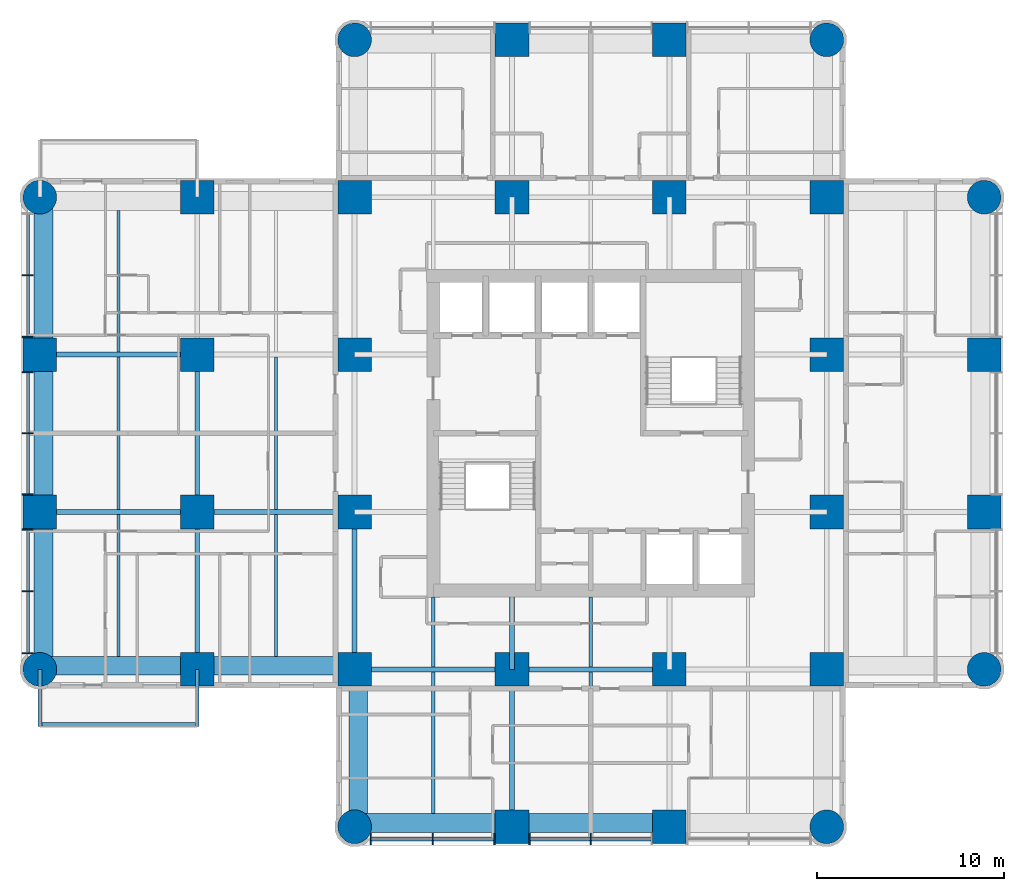
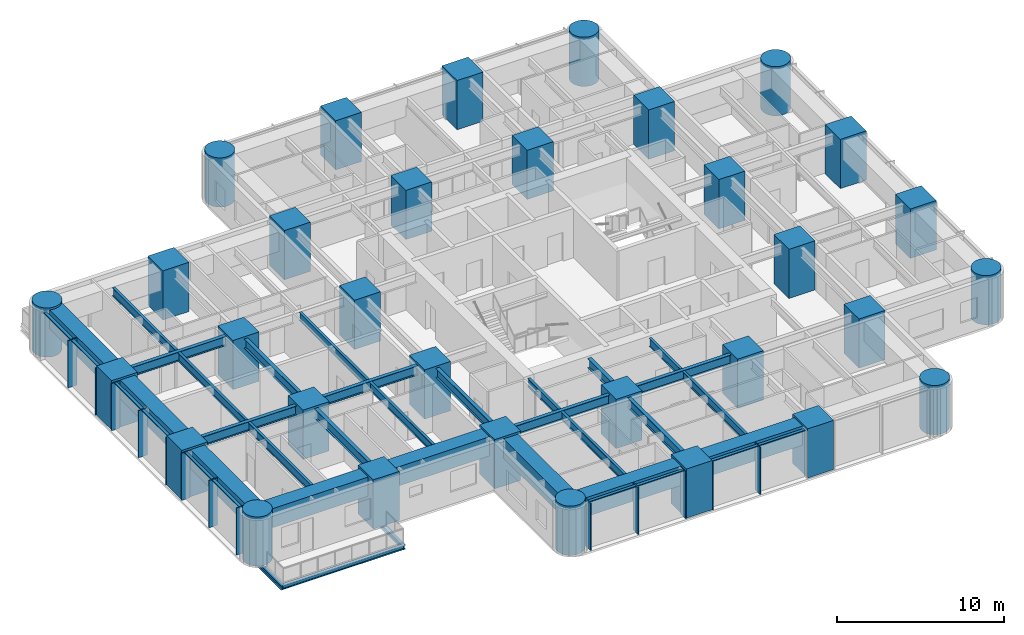
# One storey, part 1 of 11: 32 columns, 30 beams, 23 members, 2 elements without a shape of their own.
"""IFC4 building model written with IfcOpenShell, lengths in metres."""

from ifc_helpers import new_model, si_unit, direction, frame, origin, origin_2d, place, context, subcontext, project, spatial, rectangle, circle, i_section, extrude, material, material_profile, profile_set, type_object, element, aggregate, save


model = new_model("IFC4")

# Units and contexts
model_context = context("Model", 3, precision=1e-05, world=origin(), true_north=direction((0.0, 1.0)))
body_context = subcontext(model_context, "Body", "Model", "MODEL_VIEW")
ifc_project = project(units=[si_unit("LENGTHUNIT", "METRE"), si_unit("AREAUNIT", "SQUARE_METRE"), si_unit("VOLUMEUNIT", "CUBIC_METRE"), si_unit("PLANEANGLEUNIT", "RADIAN"), si_unit("MASSUNIT", "GRAM", prefix="KILO")], contexts=[model_context])

# Site, building, storey
site_placement = place(None, origin())
site = spatial("IfcSite", under=ifc_project, at=site_placement, CompositionType="ELEMENT")
building_placement = place(site_placement, origin())
building = spatial("IfcBuilding", under=site, at=building_placement, Name="Torre Alcanfor", CompositionType="ELEMENT")
storey_placement = place(building_placement, frame((0.0, 0.0, 186.89990234375)))
storey = spatial("IfcBuildingStorey", under=building, at=storey_placement, Name="L48", CompositionType="ELEMENT", Elevation=186.89990234375)

# Columns
ifc_material_1 = material(Name="Concrete f'c 70 MPa", Category="concrete")
ifc_material_profile_1 = material_profile(ifc_material_1, rectangle(XDim=1.800048828125, YDim=1.800048828125, at=origin_2d()), Name="1800x1800")
ifc_profile_set_1 = profile_set([ifc_material_profile_1], Name="Concrete f'c 70 MPa")
column_type_1 = type_object("IfcColumnType", Name="RC column 1800x1800 f'c70", PredefinedType="COLUMN", material=ifc_profile_set_1)
for number, where, z_axis, x_axis, name in (
    (1, (0.0, 25.199951171875, 0.0), (0.0, 0.0, 1.0), (1.0, 0.0, 0.0), "Column 1/F L48"),
    (2, (0.0, 33.60009765625, 0.0), (0.0, 0.0, 1.0), (1.0, 0.0, 0.0), "Column 1/G L48"),
    (3, (8.39990234375, 16.800048828125, 0.0), (0.0, 0.0, 1.0), (1.0, 0.0, 0.0), "Column 2/E L48"),
    (4, (8.39990234375, 25.199951171875, 0.0), (0.0, 0.0, 1.0), (1.0, 0.0, 0.0), "Column 2/F L48"),
    (5, (8.39990234375, 33.60009765625, 0.0), (0.0, 0.0, 1.0), (1.0, 0.0, 0.0), "Column 2/G L48"),
    (6, (8.39990234375, 42.0, 0.0), (0.0, 0.0, 1.0), (1.0, 0.0, 0.0), "Column 2/H L48"),
    (7, (16.800048828125, 16.800048828125, 0.0), (0.0, 0.0, 1.0), (1.0, 0.0, 0.0), "Column 3/E L48"),
    (8, (16.800048828125, 25.199951171875, 0.0), (0.0, 0.0, 1.0), (1.0, 0.0, 0.0), "Column 3/F L48"),
    (9, (16.800048828125, 33.60009765625, 0.0), (0.0, 0.0, 1.0), (1.0, 0.0, 0.0), "Column 3/G L48"),
    (10, (16.800048828125, 42.0, 0.0), (0.0, 0.0, 1.0), (1.0, 0.0, 0.0), "Column 3/H L48"),
    (11, (25.199951171875, 8.39990234375, 0.0), (0.0, 0.0, 1.0), (1.0, 0.0, 0.0), "Column 4/D L48"),
    (12, (25.199951171875, 16.800048828125, 0.0), (0.0, 0.0, 1.0), (1.0, 0.0, 0.0), "Column 4/E L48"),
    (13, (25.199951171875, 42.0, 0.0), (0.0, 0.0, 1.0), (1.0, 0.0, 0.0), "Column 4/H L48"),
    (14, (25.199951171875, 50.39990234375, 0.0), (0.0, 0.0, 1.0), (1.0, 0.0, 0.0), "Column 4/J L48"),
    (15, (33.60009765625, 8.39990234375, 0.0), (0.0, 0.0, 1.0), (1.0, 0.0, 0.0), "Column 5/D L48"),
    (16, (33.60009765625, 16.800048828125, 0.0), (0.0, 0.0, 1.0), (1.0, 0.0, 0.0), "Column 5/E L48"),
    (17, (33.60009765625, 42.0, 0.0), (0.0, 0.0, 1.0), (1.0, 0.0, 0.0), "Column 5/H L48"),
    (18, (33.60009765625, 50.39990234375, 0.0), (0.0, 0.0, 1.0), (1.0, 0.0, 0.0), "Column 5/J L48"),
    (19, (42.0, 16.800048828125, 0.0), (0.0, 0.0, 1.0), (1.0, 0.0, 0.0), "Column 6/E L48"),
    (20, (42.0, 25.199951171875, 0.0), (0.0, 0.0, 1.0), (1.0, 0.0, 0.0), "Column 6/F L48"),
    (21, (42.0, 33.60009765625, 0.0), (0.0, 0.0, 1.0), (1.0, 0.0, 0.0), "Column 6/G L48"),
    (22, (42.0, 42.0, 0.0), (0.0, 0.0, 1.0), (1.0, 0.0, 0.0), "Column 6/H L48"),
    (23, (50.39990234375, 25.199951171875, 0.0), (0.0, 0.0, 1.0), (1.0, 0.0, 0.0), "Column 7/F L48"),
    (24, (50.39990234375, 33.60009765625, 0.0), (0.0, 0.0, 1.0), (1.0, 0.0, 0.0), "Column 7/G L48"),
):
    element("IfcColumn", number, at=place(storey_placement, frame(where, z_axis=z_axis, x_axis=x_axis)), inside=storey, type_object=column_type_1, Name=name, PredefinedType="COLUMN", context=body_context, shape_type="SweptSolid", body=[
        extrude(rectangle(XDim=1.800048828125, YDim=1.800048828125, at=origin_2d()), origin(), (0.0, 0.0, 1.0), 3.60009765625),
    ])
ifc_material_2 = material(Name="Concrete f'c 70 MPa", Category="concrete")
ifc_material_profile_2 = material_profile(ifc_material_2, circle(Radius=0.89990234375, at=origin_2d()), Name="D1800")
ifc_profile_set_2 = profile_set([ifc_material_profile_2], Name="Concrete f'c 70 MPa")
column_type_2 = type_object("IfcColumnType", Name="RC column D1800 f'c70", PredefinedType="COLUMN", material=ifc_profile_set_2)
for number, where, z_axis, x_axis, name in (
    (25, (0.0, 16.800048828125, 0.0), (0.0, 0.0, 1.0), (1.0, 0.0, 0.0), "Column 1/E L48"),
    (26, (0.0, 42.0, 0.0), (0.0, 0.0, 1.0), (1.0, 0.0, 0.0), "Column 1/H L48"),
    (27, (16.800048828125, 8.39990234375, 0.0), (0.0, 0.0, 1.0), (1.0, 0.0, 0.0), "Column 3/D L48"),
    (28, (16.800048828125, 50.39990234375, 0.0), (0.0, 0.0, 1.0), (1.0, 0.0, 0.0), "Column 3/J L48"),
    (29, (42.0, 8.39990234375, 0.0), (0.0, 0.0, 1.0), (1.0, 0.0, 0.0), "Column 6/D L48"),
    (30, (42.0, 50.39990234375, 0.0), (0.0, 0.0, 1.0), (1.0, 0.0, 0.0), "Column 6/J L48"),
    (31, (50.39990234375, 16.800048828125, 0.0), (0.0, 0.0, 1.0), (1.0, 0.0, 0.0), "Column 7/E L48"),
    (32, (50.39990234375, 42.0, 0.0), (0.0, 0.0, 1.0), (1.0, 0.0, 0.0), "Column 7/H L48"),
):
    element("IfcColumn", number, at=place(storey_placement, frame(where, z_axis=z_axis, x_axis=x_axis)), inside=storey, type_object=column_type_2, Name=name, PredefinedType="COLUMN", context=body_context, shape_type="SweptSolid", body=[
        extrude(circle(Radius=0.89990234375, at=origin_2d()), origin(), (0.0, 0.0, 1.0), 3.60009765625),
    ])

# Beams
ifc_material_3 = material(Name="Steel ASTM A992 Grade 50", Category="steel")
ifc_material_profile_3 = material_profile(ifc_material_3, i_section(OverallWidth=0.205322265625, OverallDepth=0.309814453125, WebThickness=0.00927734375, FlangeThickness=0.016357421875, at=origin_2d()), Name="W12x50")
ifc_profile_set_3 = profile_set([ifc_material_profile_3], Name="Steel ASTM A992 Grade 50")
beam_type_1 = type_object("IfcBeamType", Name="Balcony cantilever beam W12x50", PredefinedType="BEAM", material=ifc_profile_set_3)
for number, where, z_axis, x_axis, name in (
    (33, (8.39990234375, 16.800048828125, -0.354736328125), (0.0, -1.0, 0.0), (1.0, 0.0, 0.0), "Balcony cantilever beam L48-W1 1"),
    (34, (0.0, 16.800048828125, -0.354736328125), (0.0, -1.0, 0.0), (1.0, 0.0, 0.0), "Balcony cantilever beam L48-W1 2"),
):
    element("IfcBeam", number, at=place(storey_placement, frame(where, z_axis=z_axis, x_axis=x_axis)), inside=storey, type_object=beam_type_1, Name=name, PredefinedType="BEAM", context=body_context, shape_type="SweptSolid", body=[
        extrude(i_section(OverallWidth=0.205322265625, OverallDepth=0.309814453125, WebThickness=0.00927734375, FlangeThickness=0.016357421875, at=origin_2d()), origin(), (0.0, 0.0, 1.0), 3.050048828125),
    ])
ifc_material_4 = material(Name="Steel ASTM A992 Grade 50", Category="steel")
ifc_material_profile_4 = material_profile(ifc_material_4, i_section(OverallWidth=0.203369140625, OverallDepth=0.30224609375, WebThickness=0.007568359375, FlangeThickness=0.01318359375, at=origin_2d()), Name="W12x40")
ifc_profile_set_4 = profile_set([ifc_material_profile_4], Name="Steel ASTM A992 Grade 50")
beam_type_2 = type_object("IfcBeamType", Name="Balcony edge trimmer W12x40", PredefinedType="BEAM", material=ifc_profile_set_4)
beam_1_placement = place(storey_placement, frame((8.39990234375, 13.851806640625, -0.35107421875), z_axis=(-1.0, 0.0, 0.0), x_axis=(0.0, -1.0, 0.0)))
element("IfcBeam", 35, at=beam_1_placement, inside=storey, type_object=beam_type_2, Name="Balcony edge trimmer L48-W1", PredefinedType="BEAM", context=body_context, shape_type="SweptSolid", body=[
    extrude(i_section(OverallWidth=0.203369140625, OverallDepth=0.30224609375, WebThickness=0.007568359375, FlangeThickness=0.01318359375, at=origin_2d()), origin(), (0.0, 0.0, 1.0), 8.39990234375),
])

# Curtain wall, members
ifc_material_5 = material(Name="Aluminium and glass", Category="aluminium")
curtain_wall_type = type_object("IfcCurtainWallType", Name="CW-A unitised apartment glazing with vertical FIN", PredefinedType="NOTDEFINED", material=ifc_material_5)
curtain_wall_1_placement = place(storey_placement, origin())
curtain_wall_1 = element("IfcCurtainWall", 36, at=curtain_wall_1_placement, inside=storey, type_object=curtain_wall_type, Name="Curtain wall CW-A L48 2", PredefinedType="NOTDEFINED")
ifc_material_6 = material(Name="Bronze anodised aluminium", Category="aluminium")
ifc_material_profile_5 = material_profile(ifc_material_6, rectangle(XDim=0.60009765625, YDim=0.06494140625, at=origin_2d()), Name="CW-A mullion 65x600")
ifc_profile_set_5 = profile_set([ifc_material_profile_5], Name="Bronze anodised aluminium")
member_type_1 = type_object("IfcMemberType", Name="CW-A mullion with vertical FIN 65x600", PredefinedType="MULLION", material=ifc_profile_set_5)
member_1_placement = place(storey_placement, frame((-0.64990234375, 37.835205078125, 0.0), z_axis=(0.0, 0.0, 1.0), x_axis=(1.0, 0.0, 0.0)))
member_1 = element("IfcMember", 37, at=member_1_placement, type_object=member_type_1, Name="CW-A mullion 1.2", PredefinedType="MULLION", context=body_context, shape_type="SweptSolid", body=[
    extrude(rectangle(XDim=0.60009765625, YDim=0.06494140625, at=origin_2d()), origin(), (0.0, 0.0, 1.0), 3.4501953125),
])
member_2_placement = place(storey_placement, frame((-0.64990234375, 34.53759765625, 0.0), z_axis=(0.0, 0.0, 1.0), x_axis=(1.0, 0.0, 0.0)))
member_2 = element("IfcMember", 38, at=member_2_placement, type_object=member_type_1, Name="CW-A mullion 1.3", PredefinedType="MULLION", context=body_context, shape_type="SweptSolid", body=[
    extrude(rectangle(XDim=0.60009765625, YDim=0.06494140625, at=origin_2d()), origin(), (0.0, 0.0, 1.0), 3.4501953125),
])
member_3_placement = place(storey_placement, frame((-0.64990234375, 32.66259765625, 0.0), z_axis=(0.0, 0.0, 1.0), x_axis=(1.0, 0.0, 0.0)))
member_3 = element("IfcMember", 39, at=member_3_placement, type_object=member_type_1, Name="CW-A mullion 2.1", PredefinedType="MULLION", context=body_context, shape_type="SweptSolid", body=[
    extrude(rectangle(XDim=0.60009765625, YDim=0.06494140625, at=origin_2d()), origin(), (0.0, 0.0, 1.0), 3.4501953125),
])
member_4_placement = place(storey_placement, frame((-0.64990234375, 29.39990234375, 0.0), z_axis=(0.0, 0.0, 1.0), x_axis=(1.0, 0.0, 0.0)))
member_4 = element("IfcMember", 40, at=member_4_placement, type_object=member_type_1, Name="CW-A mullion 2.2", PredefinedType="MULLION", context=body_context, shape_type="SweptSolid", body=[
    extrude(rectangle(XDim=0.60009765625, YDim=0.06494140625, at=origin_2d()), origin(), (0.0, 0.0, 1.0), 3.4501953125),
])
member_5_placement = place(storey_placement, frame((-0.64990234375, 26.137451171875, 0.0), z_axis=(0.0, 0.0, 1.0), x_axis=(1.0, 0.0, 0.0)))
member_5 = element("IfcMember", 41, at=member_5_placement, type_object=member_type_1, Name="CW-A mullion 2.3", PredefinedType="MULLION", context=body_context, shape_type="SweptSolid", body=[
    extrude(rectangle(XDim=0.60009765625, YDim=0.06494140625, at=origin_2d()), origin(), (0.0, 0.0, 1.0), 3.4501953125),
])
member_6_placement = place(storey_placement, frame((-0.64990234375, 24.262451171875, 0.0), z_axis=(0.0, 0.0, 1.0), x_axis=(1.0, 0.0, 0.0)))
member_6 = element("IfcMember", 42, at=member_6_placement, type_object=member_type_1, Name="CW-A mullion 3.1", PredefinedType="MULLION", context=body_context, shape_type="SweptSolid", body=[
    extrude(rectangle(XDim=0.60009765625, YDim=0.06494140625, at=origin_2d()), origin(), (0.0, 0.0, 1.0), 3.4501953125),
])
member_7_placement = place(storey_placement, frame((-0.64990234375, 20.96484375, 0.0), z_axis=(0.0, 0.0, 1.0), x_axis=(1.0, 0.0, 0.0)))
member_7 = element("IfcMember", 43, at=member_7_placement, type_object=member_type_1, Name="CW-A mullion 3.2", PredefinedType="MULLION", context=body_context, shape_type="SweptSolid", body=[
    extrude(rectangle(XDim=0.60009765625, YDim=0.06494140625, at=origin_2d()), origin(), (0.0, 0.0, 1.0), 3.4501953125),
])
member_8_placement = place(storey_placement, frame((-0.64990234375, 17.6669921875, 0.0), z_axis=(0.0, 0.0, 1.0), x_axis=(1.0, 0.0, 0.0)))
member_8 = element("IfcMember", 44, at=member_8_placement, type_object=member_type_1, Name="CW-A mullion 3.3", PredefinedType="MULLION", context=body_context, shape_type="SweptSolid", body=[
    extrude(rectangle(XDim=0.60009765625, YDim=0.06494140625, at=origin_2d()), origin(), (0.0, 0.0, 1.0), 3.4501953125),
])

curtain_wall_2_placement = place(storey_placement, origin())
curtain_wall_2 = element("IfcCurtainWall", 45, at=curtain_wall_2_placement, inside=storey, type_object=curtain_wall_type, Name="Curtain wall CW-A L48 5", PredefinedType="NOTDEFINED")
member_9_placement = place(storey_placement, frame((17.6669921875, 7.75, 0.0), z_axis=(0.0, 0.0, 1.0), x_axis=(0.0, 1.0, 0.0)))
member_9 = element("IfcMember", 46, at=member_9_placement, type_object=member_type_1, Name="CW-A mullion 1.1", PredefinedType="MULLION", context=body_context, shape_type="SweptSolid", body=[
    extrude(rectangle(XDim=0.60009765625, YDim=0.06494140625, at=origin_2d()), origin(), (0.0, 0.0, 1.0), 3.4501953125),
])
member_10_placement = place(storey_placement, frame((20.96484375, 7.75, 0.0), z_axis=(0.0, 0.0, 1.0), x_axis=(0.0, 1.0, 0.0)))
member_10 = element("IfcMember", 47, at=member_10_placement, type_object=member_type_1, Name="CW-A mullion 1.2", PredefinedType="MULLION", context=body_context, shape_type="SweptSolid", body=[
    extrude(rectangle(XDim=0.60009765625, YDim=0.06494140625, at=origin_2d()), origin(), (0.0, 0.0, 1.0), 3.4501953125),
])
member_11_placement = place(storey_placement, frame((24.262451171875, 7.75, 0.0), z_axis=(0.0, 0.0, 1.0), x_axis=(0.0, 1.0, 0.0)))
member_11 = element("IfcMember", 48, at=member_11_placement, type_object=member_type_1, Name="CW-A mullion 1.3", PredefinedType="MULLION", context=body_context, shape_type="SweptSolid", body=[
    extrude(rectangle(XDim=0.60009765625, YDim=0.06494140625, at=origin_2d()), origin(), (0.0, 0.0, 1.0), 3.4501953125),
])
member_12_placement = place(storey_placement, frame((26.137451171875, 7.75, 0.0), z_axis=(0.0, 0.0, 1.0), x_axis=(0.0, 1.0, 0.0)))
member_12 = element("IfcMember", 49, at=member_12_placement, type_object=member_type_1, Name="CW-A mullion 2.1", PredefinedType="MULLION", context=body_context, shape_type="SweptSolid", body=[
    extrude(rectangle(XDim=0.60009765625, YDim=0.06494140625, at=origin_2d()), origin(), (0.0, 0.0, 1.0), 3.4501953125),
])
member_13_placement = place(storey_placement, frame((29.39990234375, 7.75, 0.0), z_axis=(0.0, 0.0, 1.0), x_axis=(0.0, 1.0, 0.0)))
member_13 = element("IfcMember", 50, at=member_13_placement, type_object=member_type_1, Name="CW-A mullion 2.2", PredefinedType="MULLION", context=body_context, shape_type="SweptSolid", body=[
    extrude(rectangle(XDim=0.60009765625, YDim=0.06494140625, at=origin_2d()), origin(), (0.0, 0.0, 1.0), 3.4501953125),
])

# Member
ifc_material_7 = material(Name="Extruded aluminium", Category="aluminium")
ifc_material_profile_6 = material_profile(ifc_material_7, rectangle(XDim=0.199951171875, YDim=0.06494140625, at=origin_2d()), Name="CW-A transom 200x65")
ifc_profile_set_6 = profile_set([ifc_material_profile_6], Name="Extruded aluminium")
member_type_2 = type_object("IfcMemberType", Name="CW-A transom 65x200", PredefinedType="USERDEFINED", material=ifc_profile_set_6)
member_14_placement = place(storey_placement, frame((-0.64990234375, 41.1005859375, 3.41748046875), z_axis=(0.0, -1.0, 0.0), x_axis=(1.0, 0.0, 0.0)))
member_14 = element("IfcMember", 51, at=member_14_placement, type_object=member_type_2, Name="CW-A transom 1.1.2", ObjectType="TRANSOM", PredefinedType="USERDEFINED", context=body_context, shape_type="SweptSolid", body=[
    extrude(rectangle(XDim=0.199951171875, YDim=0.06494140625, at=origin_2d()), origin(), (0.0, 0.0, 1.0), 3.23291015625),
])

member_15_placement = place(storey_placement, frame((-0.64990234375, 37.802734375, 3.41748046875), z_axis=(0.0, -1.0, 0.0), x_axis=(1.0, 0.0, 0.0)))
member_15 = element("IfcMember", 52, at=member_15_placement, type_object=member_type_2, Name="CW-A transom 1.2.2", ObjectType="TRANSOM", PredefinedType="USERDEFINED", context=body_context, shape_type="SweptSolid", body=[
    extrude(rectangle(XDim=0.199951171875, YDim=0.06494140625, at=origin_2d()), origin(), (0.0, 0.0, 1.0), 3.232666015625),
])

member_16_placement = place(storey_placement, frame((-0.64990234375, 32.6298828125, 3.41748046875), z_axis=(0.0, -1.0, 0.0), x_axis=(1.0, 0.0, 0.0)))
member_16 = element("IfcMember", 53, at=member_16_placement, type_object=member_type_2, Name="CW-A transom 2.1.2", ObjectType="TRANSOM", PredefinedType="USERDEFINED", context=body_context, shape_type="SweptSolid", body=[
    extrude(rectangle(XDim=0.199951171875, YDim=0.06494140625, at=origin_2d()), origin(), (0.0, 0.0, 1.0), 3.197265625),
])

member_17_placement = place(storey_placement, frame((-0.64990234375, 29.367431640625, 3.41748046875), z_axis=(0.0, -1.0, 0.0), x_axis=(1.0, 0.0, 0.0)))
member_17 = element("IfcMember", 54, at=member_17_placement, type_object=member_type_2, Name="CW-A transom 2.2.2", ObjectType="TRANSOM", PredefinedType="USERDEFINED", context=body_context, shape_type="SweptSolid", body=[
    extrude(rectangle(XDim=0.199951171875, YDim=0.06494140625, at=origin_2d()), origin(), (0.0, 0.0, 1.0), 3.197509765625),
])

member_18_placement = place(storey_placement, frame((-0.64990234375, 24.22998046875, 3.41748046875), z_axis=(0.0, -1.0, 0.0), x_axis=(1.0, 0.0, 0.0)))
member_18 = element("IfcMember", 55, at=member_18_placement, type_object=member_type_2, Name="CW-A transom 3.1.2", ObjectType="TRANSOM", PredefinedType="USERDEFINED", context=body_context, shape_type="SweptSolid", body=[
    extrude(rectangle(XDim=0.199951171875, YDim=0.06494140625, at=origin_2d()), origin(), (0.0, 0.0, 1.0), 3.232666015625),
])

member_19_placement = place(storey_placement, frame((-0.64990234375, 20.93212890625, 3.41748046875), z_axis=(0.0, -1.0, 0.0), x_axis=(1.0, 0.0, 0.0)))
member_19 = element("IfcMember", 56, at=member_19_placement, type_object=member_type_2, Name="CW-A transom 3.2.2", ObjectType="TRANSOM", PredefinedType="USERDEFINED", context=body_context, shape_type="SweptSolid", body=[
    extrude(rectangle(XDim=0.199951171875, YDim=0.06494140625, at=origin_2d()), origin(), (0.0, 0.0, 1.0), 3.232666015625),
])

aggregate(curtain_wall_1, [member_1, member_2, member_14, member_15, member_3, member_4, member_5, member_16, member_17, member_6, member_7, member_8, member_18, member_19])

member_20_placement = place(storey_placement, frame((17.699462890625, 7.75, 3.41748046875), z_axis=(1.0, 0.0, 0.0), x_axis=(0.0, 1.0, 0.0)))
member_20 = element("IfcMember", 57, at=member_20_placement, type_object=member_type_2, Name="CW-A transom 1.1.2", ObjectType="TRANSOM", PredefinedType="USERDEFINED", context=body_context, shape_type="SweptSolid", body=[
    extrude(rectangle(XDim=0.199951171875, YDim=0.06494140625, at=origin_2d()), origin(), (0.0, 0.0, 1.0), 3.232666015625),
])

member_21_placement = place(storey_placement, frame((20.997314453125, 7.75, 3.41748046875), z_axis=(1.0, 0.0, 0.0), x_axis=(0.0, 1.0, 0.0)))
member_21 = element("IfcMember", 58, at=member_21_placement, type_object=member_type_2, Name="CW-A transom 1.2.2", ObjectType="TRANSOM", PredefinedType="USERDEFINED", context=body_context, shape_type="SweptSolid", body=[
    extrude(rectangle(XDim=0.199951171875, YDim=0.06494140625, at=origin_2d()), origin(), (0.0, 0.0, 1.0), 3.232666015625),
])

member_22_placement = place(storey_placement, frame((26.169921875, 7.75, 3.41748046875), z_axis=(1.0, 0.0, 0.0), x_axis=(0.0, 1.0, 0.0)))
member_22 = element("IfcMember", 59, at=member_22_placement, type_object=member_type_2, Name="CW-A transom 2.1.2", ObjectType="TRANSOM", PredefinedType="USERDEFINED", context=body_context, shape_type="SweptSolid", body=[
    extrude(rectangle(XDim=0.199951171875, YDim=0.06494140625, at=origin_2d()), origin(), (0.0, 0.0, 1.0), 3.197509765625),
])

member_23_placement = place(storey_placement, frame((29.4326171875, 7.75, 3.41748046875), z_axis=(1.0, 0.0, 0.0), x_axis=(0.0, 1.0, 0.0)))
member_23 = element("IfcMember", 60, at=member_23_placement, type_object=member_type_2, Name="CW-A transom 2.2.2", ObjectType="TRANSOM", PredefinedType="USERDEFINED", context=body_context, shape_type="SweptSolid", body=[
    extrude(rectangle(XDim=0.199951171875, YDim=0.06494140625, at=origin_2d()), origin(), (0.0, 0.0, 1.0), 3.197265625),
])

aggregate(curtain_wall_2, [member_9, member_10, member_11, member_20, member_21, member_12, member_13, member_22, member_23])

# Beams
ifc_material_8 = material(Name="Steel ASTM A992 Grade 50", Category="steel")
ifc_material_profile_7 = material_profile(ifc_material_8, i_section(OverallWidth=0.25390625, OverallDepth=0.683349609375, WebThickness=0.012451171875, FlangeThickness=0.01904296875, at=origin_2d()), Name="W27x94")
ifc_profile_set_7 = profile_set([ifc_material_profile_7], Name="Steel ASTM A992 Grade 50")
beam_type_3 = type_object("IfcBeamType", Name="Girder W27x94", PredefinedType="BEAM", material=ifc_profile_set_7)
beam_2_placement = place(storey_placement, frame((16.800048828125, 16.800048828125, 3.1083984375), z_axis=(1.0, 0.0, 0.0), x_axis=(0.0, 1.0, 0.0)))
element("IfcBeam", 61, at=beam_2_placement, inside=storey, type_object=beam_type_3, Name="Beam 3E-4E under L49", PredefinedType="BEAM", context=body_context, shape_type="SweptSolid", body=[
    extrude(i_section(OverallWidth=0.25390625, OverallDepth=0.683349609375, WebThickness=0.012451171875, FlangeThickness=0.01904296875, at=origin_2d()), origin(), (0.0, 0.0, 1.0), 8.39990234375),
])
beam_3_placement = place(storey_placement, frame((25.199951171875, 16.800048828125, 3.1083984375), z_axis=(1.0, 0.0, 0.0), x_axis=(0.0, 1.0, 0.0)))
element("IfcBeam", 62, at=beam_3_placement, inside=storey, type_object=beam_type_3, Name="Beam 4E-5E under L49", PredefinedType="BEAM", context=body_context, shape_type="SweptSolid", body=[
    extrude(i_section(OverallWidth=0.25390625, OverallDepth=0.683349609375, WebThickness=0.012451171875, FlangeThickness=0.01904296875, at=origin_2d()), origin(), (0.0, 0.0, 1.0), 8.400146484375),
])
beam_4_placement = place(storey_placement, frame((0.0, 25.199951171875, 3.1083984375), z_axis=(1.0, 0.0, 0.0), x_axis=(0.0, 1.0, 0.0)))
element("IfcBeam", 63, at=beam_4_placement, inside=storey, type_object=beam_type_3, Name="Beam 1F-2F under L49", PredefinedType="BEAM", context=body_context, shape_type="SweptSolid", body=[
    extrude(i_section(OverallWidth=0.25390625, OverallDepth=0.683349609375, WebThickness=0.012451171875, FlangeThickness=0.01904296875, at=origin_2d()), origin(), (0.0, 0.0, 1.0), 8.39990234375),
])
beam_5_placement = place(storey_placement, frame((8.39990234375, 25.199951171875, 3.1083984375), z_axis=(1.0, 0.0, 0.0), x_axis=(0.0, 1.0, 0.0)))
element("IfcBeam", 64, at=beam_5_placement, inside=storey, type_object=beam_type_3, Name="Beam 2F-3F under L49", PredefinedType="BEAM", context=body_context, shape_type="SweptSolid", body=[
    extrude(i_section(OverallWidth=0.25390625, OverallDepth=0.683349609375, WebThickness=0.012451171875, FlangeThickness=0.01904296875, at=origin_2d()), origin(), (0.0, 0.0, 1.0), 8.400146484375),
])
for number, where, z_axis, x_axis, name in (
    (65, (0.0, 33.60009765625, 3.1083984375), (1.0, 0.0, 0.0), (0.0, 1.0, 0.0), "Beam 1G-2G under L49"),
    (66, (8.39990234375, 16.800048828125, 3.1083984375), (0.0, 1.0, 0.0), (-1.0, 0.0, 0.0), "Beam 2E-2F under L49"),
):
    element("IfcBeam", number, at=place(storey_placement, frame(where, z_axis=z_axis, x_axis=x_axis)), inside=storey, type_object=beam_type_3, Name=name, PredefinedType="BEAM", context=body_context, shape_type="SweptSolid", body=[
        extrude(i_section(OverallWidth=0.25390625, OverallDepth=0.683349609375, WebThickness=0.012451171875, FlangeThickness=0.01904296875, at=origin_2d()), origin(), (0.0, 0.0, 1.0), 8.39990234375),
    ])
beam_6_placement = place(storey_placement, frame((8.39990234375, 25.199951171875, 3.1083984375), z_axis=(0.0, 1.0, 0.0), x_axis=(-1.0, 0.0, 0.0)))
element("IfcBeam", 67, at=beam_6_placement, inside=storey, type_object=beam_type_3, Name="Beam 2F-2G under L49", PredefinedType="BEAM", context=body_context, shape_type="SweptSolid", body=[
    extrude(i_section(OverallWidth=0.25390625, OverallDepth=0.683349609375, WebThickness=0.012451171875, FlangeThickness=0.01904296875, at=origin_2d()), origin(), (0.0, 0.0, 1.0), 8.400146484375),
])
beam_7_placement = place(storey_placement, frame((16.800048828125, 16.800048828125, 3.1083984375), z_axis=(0.0, 1.0, 0.0), x_axis=(-1.0, 0.0, 0.0)))
element("IfcBeam", 68, at=beam_7_placement, inside=storey, type_object=beam_type_3, Name="Beam 3E-3F under L49", PredefinedType="BEAM", context=body_context, shape_type="SweptSolid", body=[
    extrude(i_section(OverallWidth=0.25390625, OverallDepth=0.683349609375, WebThickness=0.012451171875, FlangeThickness=0.01904296875, at=origin_2d()), origin(), (0.0, 0.0, 1.0), 8.39990234375),
])
beam_8_placement = place(storey_placement, frame((25.199951171875, 8.39990234375, 3.1083984375), z_axis=(0.0, 1.0, 0.0), x_axis=(-1.0, 0.0, 0.0)))
element("IfcBeam", 69, at=beam_8_placement, inside=storey, type_object=beam_type_3, Name="Beam 4D-4E under L49", PredefinedType="BEAM", context=body_context, shape_type="SweptSolid", body=[
    extrude(i_section(OverallWidth=0.25390625, OverallDepth=0.683349609375, WebThickness=0.012451171875, FlangeThickness=0.01904296875, at=origin_2d()), origin(), (0.0, 0.0, 1.0), 8.400146484375),
])
ifc_material_9 = material(Name="Steel ASTM A992 Grade 50", Category="steel")
ifc_material_profile_8 = material_profile(ifc_material_9, i_section(OverallWidth=0.25390625, OverallDepth=0.683349609375, WebThickness=0.012451171875, FlangeThickness=0.01904296875, at=origin_2d()), Name="W27x94")
ifc_profile_set_8 = profile_set([ifc_material_profile_8], Name="Steel ASTM A992 Grade 50")
beam_type_4 = type_object("IfcBeamType", Name="Girder, part bay W27x94", PredefinedType="BEAM", material=ifc_profile_set_8)
beam_9_placement = place(storey_placement, frame((25.199951171875, 16.800048828125, 3.1083984375), z_axis=(0.0, 1.0, 0.0), x_axis=(-1.0, 0.0, 0.0)))
element("IfcBeam", 70, at=beam_9_placement, inside=storey, type_object=beam_type_4, Name="Beam 4E-420_65 under L49", PredefinedType="BEAM", context=body_context, shape_type="SweptSolid", body=[
    extrude(i_section(OverallWidth=0.25390625, OverallDepth=0.683349609375, WebThickness=0.012451171875, FlangeThickness=0.01904296875, at=origin_2d()), origin(), (0.0, 0.0, 1.0), 3.849853515625),
])
ifc_material_10 = material(Name="Concrete f'c 70 MPa", Category="concrete")
ifc_material_profile_9 = material_profile(ifc_material_10, rectangle(XDim=1.0, YDim=1.39990234375, at=origin_2d()), Name="1000x1400")
ifc_profile_set_9 = profile_set([ifc_material_profile_9], Name="Concrete f'c 70 MPa")
beam_type_5 = type_object("IfcBeamType", Name="RC perimeter beam 1000x1400", PredefinedType="BEAM", material=ifc_profile_set_9)
beam_10_placement = place(storey_placement, frame((16.800048828125, 8.60009765625, 2.75), z_axis=(1.0, 0.0, 0.0), x_axis=(0.0, 1.0, 0.0)))
element("IfcBeam", 71, at=beam_10_placement, inside=storey, type_object=beam_type_5, Name="Beam 3D-4D under L49", PredefinedType="BEAM", context=body_context, shape_type="SweptSolid", body=[
    extrude(rectangle(XDim=1.0, YDim=1.39990234375, at=origin_2d()), origin(), (0.0, 0.0, 1.0), 8.27294921875),
])
beam_11_placement = place(storey_placement, frame((25.326904296875, 8.60009765625, 2.75), z_axis=(1.0, 0.0, 0.0), x_axis=(0.0, 1.0, 0.0)))
element("IfcBeam", 72, at=beam_11_placement, inside=storey, type_object=beam_type_5, Name="Beam 4D-5D under L49", PredefinedType="BEAM", context=body_context, shape_type="SweptSolid", body=[
    extrude(rectangle(XDim=1.0, YDim=1.39990234375, at=origin_2d()), origin(), (0.0, 0.0, 1.0), 8.14599609375),
])
beam_12_placement = place(storey_placement, frame((0.0, 17.0, 2.75), z_axis=(1.0, 0.0, 0.0), x_axis=(0.0, 1.0, 0.0)))
element("IfcBeam", 73, at=beam_12_placement, inside=storey, type_object=beam_type_5, Name="Beam 1E-2E under L49", PredefinedType="BEAM", context=body_context, shape_type="SweptSolid", body=[
    extrude(rectangle(XDim=1.0, YDim=1.39990234375, at=origin_2d()), origin(), (0.0, 0.0, 1.0), 8.27294921875),
])
beam_13_placement = place(storey_placement, frame((8.527099609375, 17.0, 2.75), z_axis=(1.0, 0.0, 0.0), x_axis=(0.0, 1.0, 0.0)))
element("IfcBeam", 74, at=beam_13_placement, inside=storey, type_object=beam_type_5, Name="Beam 2E-3E under L49", PredefinedType="BEAM", context=body_context, shape_type="SweptSolid", body=[
    extrude(rectangle(XDim=1.0, YDim=1.39990234375, at=origin_2d()), origin(), (0.0, 0.0, 1.0), 8.14599609375),
])
beam_14_placement = place(storey_placement, frame((0.199951171875, 16.800048828125, 2.75), z_axis=(0.0, 1.0, 0.0), x_axis=(-1.0, 0.0, 0.0)))
element("IfcBeam", 75, at=beam_14_placement, inside=storey, type_object=beam_type_5, Name="Beam 1E-1F under L49", PredefinedType="BEAM", context=body_context, shape_type="SweptSolid", body=[
    extrude(rectangle(XDim=1.0, YDim=1.39990234375, at=origin_2d()), origin(), (0.0, 0.0, 1.0), 8.27294921875),
])
beam_15_placement = place(storey_placement, frame((0.199951171875, 25.326904296875, 2.75), z_axis=(0.0, 1.0, 0.0), x_axis=(-1.0, 0.0, 0.0)))
element("IfcBeam", 76, at=beam_15_placement, inside=storey, type_object=beam_type_5, Name="Beam 1F-1G under L49", PredefinedType="BEAM", context=body_context, shape_type="SweptSolid", body=[
    extrude(rectangle(XDim=1.0, YDim=1.39990234375, at=origin_2d()), origin(), (0.0, 0.0, 1.0), 8.14599609375),
])
beam_16_placement = place(storey_placement, frame((0.199951171875, 33.72705078125, 2.75), z_axis=(0.0, 1.0, 0.0), x_axis=(-1.0, 0.0, 0.0)))
element("IfcBeam", 77, at=beam_16_placement, inside=storey, type_object=beam_type_5, Name="Beam 1G-1H under L49", PredefinedType="BEAM", context=body_context, shape_type="SweptSolid", body=[
    extrude(rectangle(XDim=1.0, YDim=1.39990234375, at=origin_2d()), origin(), (0.0, 0.0, 1.0), 8.27294921875),
])
beam_17_placement = place(storey_placement, frame((17.0, 8.39990234375, 2.75), z_axis=(0.0, 1.0, 0.0), x_axis=(-1.0, 0.0, 0.0)))
element("IfcBeam", 78, at=beam_17_placement, inside=storey, type_object=beam_type_5, Name="Beam 3D-3E under L49", PredefinedType="BEAM", context=body_context, shape_type="SweptSolid", body=[
    extrude(rectangle(XDim=1.0, YDim=1.39990234375, at=origin_2d()), origin(), (0.0, 0.0, 1.0), 8.273193359375),
])
ifc_material_11 = material(Name="Steel ASTM A992 Grade 50", Category="steel")
ifc_material_profile_10 = material_profile(ifc_material_11, i_section(OverallWidth=0.1787109375, OverallDepth=0.60205078125, WebThickness=0.010986328125, FlangeThickness=0.014892578125, at=origin_2d()), Name="W24x62")
ifc_profile_set_10 = profile_set([ifc_material_profile_10], Name="Steel ASTM A992 Grade 50")
beam_type_6 = type_object("IfcBeamType", Name="Secondary beam W24x62", PredefinedType="BEAM", material=ifc_profile_set_10)
beam_18_placement = place(storey_placement, frame((4.199951171875, 17.5, 3.149169921875), z_axis=(0.0, 1.0, 0.0), x_axis=(-1.0, 0.0, 0.0)))
element("IfcBeam", 79, at=beam_18_placement, inside=storey, type_object=beam_type_6, Name="Beam 4_2E-4_2F under L49", PredefinedType="BEAM", context=body_context, shape_type="SweptSolid", body=[
    extrude(i_section(OverallWidth=0.1787109375, OverallDepth=0.60205078125, WebThickness=0.010986328125, FlangeThickness=0.014892578125, at=origin_2d()), origin(), (0.0, 0.0, 1.0), 7.572998046875),
])
beam_19_placement = place(storey_placement, frame((4.199951171875, 25.326904296875, 3.149169921875), z_axis=(0.0, 1.0, 0.0), x_axis=(-1.0, 0.0, 0.0)))
element("IfcBeam", 80, at=beam_19_placement, inside=storey, type_object=beam_type_6, Name="Beam 4_2F-4_2G under L49", PredefinedType="BEAM", context=body_context, shape_type="SweptSolid", body=[
    extrude(i_section(OverallWidth=0.1787109375, OverallDepth=0.60205078125, WebThickness=0.010986328125, FlangeThickness=0.014892578125, at=origin_2d()), origin(), (0.0, 0.0, 1.0), 8.14599609375),
])
for number, where, z_axis, x_axis, name in (
    (81, (4.199951171875, 33.72705078125, 3.149169921875), (0.0, 1.0, 0.0), (-1.0, 0.0, 0.0), "Beam 4_2G-4_2H under L49"),
    (82, (12.60009765625, 17.5, 3.149169921875), (0.0, 1.0, 0.0), (-1.0, 0.0, 0.0), "Beam 12_6E-12_6F under L49"),
):
    element("IfcBeam", number, at=place(storey_placement, frame(where, z_axis=z_axis, x_axis=x_axis)), inside=storey, type_object=beam_type_6, Name=name, PredefinedType="BEAM", context=body_context, shape_type="SweptSolid", body=[
        extrude(i_section(OverallWidth=0.1787109375, OverallDepth=0.60205078125, WebThickness=0.010986328125, FlangeThickness=0.014892578125, at=origin_2d()), origin(), (0.0, 0.0, 1.0), 7.572998046875),
    ])
beam_20_placement = place(storey_placement, frame((12.60009765625, 25.326904296875, 3.149169921875), z_axis=(0.0, 1.0, 0.0), x_axis=(-1.0, 0.0, 0.0)))
element("IfcBeam", 83, at=beam_20_placement, inside=storey, type_object=beam_type_6, Name="Beam 12_6F-12_6G under L49", PredefinedType="BEAM", context=body_context, shape_type="SweptSolid", body=[
    extrude(i_section(OverallWidth=0.1787109375, OverallDepth=0.60205078125, WebThickness=0.010986328125, FlangeThickness=0.014892578125, at=origin_2d()), origin(), (0.0, 0.0, 1.0), 8.14599609375),
])
for number, where, z_axis, x_axis, name in (
    (84, (21.0, 9.10009765625, 3.149169921875), (0.0, 1.0, 0.0), (-1.0, 0.0, 0.0), "Beam 21D-21E under L49"),
    (85, (29.39990234375, 9.10009765625, 3.149169921875), (0.0, 1.0, 0.0), (-1.0, 0.0, 0.0), "Beam 29_4D-29_4E under L49"),
):
    element("IfcBeam", number, at=place(storey_placement, frame(where, z_axis=z_axis, x_axis=x_axis)), inside=storey, type_object=beam_type_6, Name=name, PredefinedType="BEAM", context=body_context, shape_type="SweptSolid", body=[
        extrude(i_section(OverallWidth=0.1787109375, OverallDepth=0.60205078125, WebThickness=0.010986328125, FlangeThickness=0.014892578125, at=origin_2d()), origin(), (0.0, 0.0, 1.0), 7.572998046875),
    ])
ifc_material_12 = material(Name="Steel ASTM A992 Grade 50", Category="steel")
ifc_material_profile_11 = material_profile(ifc_material_12, i_section(OverallWidth=0.1787109375, OverallDepth=0.60205078125, WebThickness=0.010986328125, FlangeThickness=0.014892578125, at=origin_2d()), Name="W24x62")
ifc_profile_set_11 = profile_set([ifc_material_profile_11], Name="Steel ASTM A992 Grade 50")
beam_type_7 = type_object("IfcBeamType", Name="Secondary beam, part bay W24x62", PredefinedType="BEAM", material=ifc_profile_set_11)
for number, where, z_axis, x_axis, name in (
    (86, (21.0, 16.927001953125, 3.149169921875), (0.0, 1.0, 0.0), (-1.0, 0.0, 0.0), "Beam 21E-2120_65 under L49"),
    (87, (29.39990234375, 16.927001953125, 3.149169921875), (0.0, 1.0, 0.0), (-1.0, 0.0, 0.0), "Beam 29_4E-29_420_65 under L49"),
):
    element("IfcBeam", number, at=place(storey_placement, frame(where, z_axis=z_axis, x_axis=x_axis)), inside=storey, type_object=beam_type_7, Name=name, PredefinedType="BEAM", context=body_context, shape_type="SweptSolid", body=[
        extrude(i_section(OverallWidth=0.1787109375, OverallDepth=0.60205078125, WebThickness=0.010986328125, FlangeThickness=0.014892578125, at=origin_2d()), origin(), (0.0, 0.0, 1.0), 3.722900390625),
    ])

save(model, "model.ifc")
